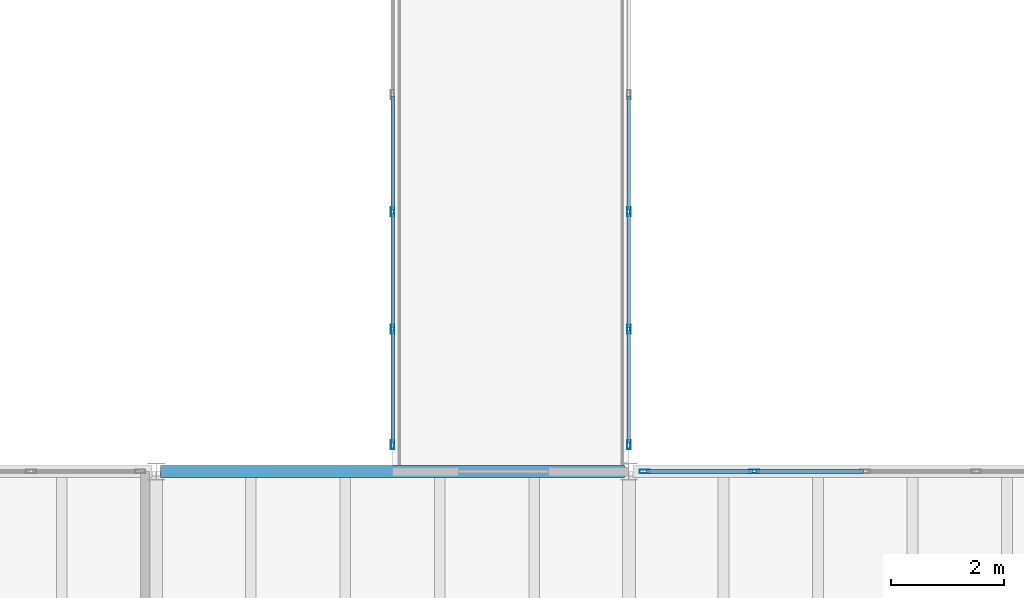
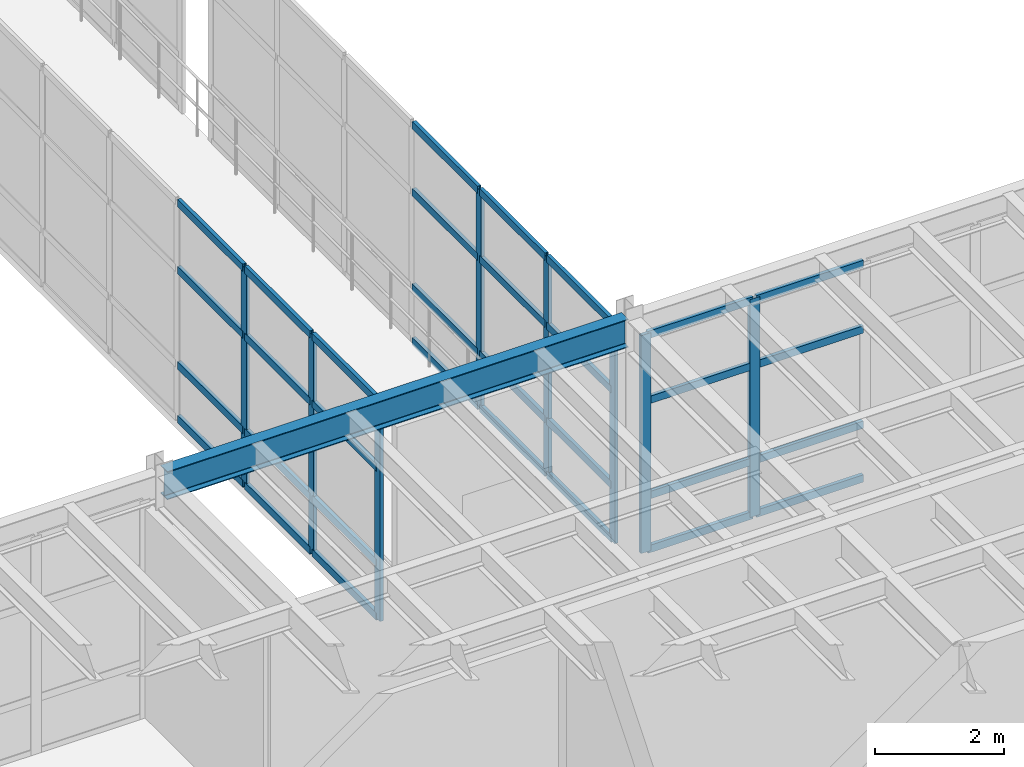
# One storey, part 48 of 105: 40 members, 1 beam, 3 elements without a shape of their own.
"""IFC4 building model written with IfcOpenShell, lengths in metres."""

from ifc_helpers import new_model, si_unit, direction, frame, origin, origin_2d, place, context, subcontext, project, spatial, hollow_rectangle, i_section, extrude, material, layer, layer_set, material_profile, profile_set, type_object, element, aggregate, save


model = new_model("IFC4")

# Units and contexts
model_context = context("Model", 3, precision=1e-05, world=origin(), true_north=direction((0.0, 1.0)))
body_context = subcontext(model_context, "Body", "Model", "MODEL_VIEW")
ifc_project = project(units=[si_unit("LENGTHUNIT", "METRE"), si_unit("AREAUNIT", "SQUARE_METRE"), si_unit("VOLUMEUNIT", "CUBIC_METRE"), si_unit("PLANEANGLEUNIT", "RADIAN"), si_unit("MASSUNIT", "GRAM", prefix="KILO")], contexts=[model_context])

# Site, building, storey
site_placement = place(None, origin())
site = spatial("IfcSite", under=ifc_project, at=site_placement, CompositionType="ELEMENT")
building_placement = place(site_placement, origin())
building = spatial("IfcBuilding", under=site, at=building_placement, Name="Selat Folded Stagehouse", CompositionType="ELEMENT")
storey_placement = place(building_placement, frame((0.0, 0.0, 10.199951171875)))
storey = spatial("IfcBuildingStorey", under=building, at=storey_placement, Name="L02", CompositionType="ELEMENT", Elevation=10.199951171875)

# Beam
ifc_material_1 = material(Name="Steel S355", Category="steel")
ifc_material_profile_1 = material_profile(ifc_material_1, i_section(OverallWidth=0.209228515625, OverallDepth=0.533203125, WebThickness=0.010009765625, FlangeThickness=0.015625, FilletRadius=0.0126953125, at=origin_2d()), Name="UKB 533x210x92")
ifc_profile_set_1 = profile_set([ifc_material_profile_1], Name="Steel S355")
beam_type = type_object("IfcBeamType", Name="BM-GIRD-533x210x92", PredefinedType="BEAM", material=ifc_profile_set_1)
beam_placement = place(storey_placement, frame((92.47705078125, 17.800048828125, 4.308349609375), z_axis=(1.0, 0.0, 0.0), x_axis=(0.0, 1.0, 0.0)))
element("IfcBeam", 1, at=beam_placement, inside=storey, type_object=beam_type, Name="L02 primary x-girder 1006", PredefinedType="BEAM", context=body_context, shape_type="SweptSolid", body=[
    extrude(i_section(OverallWidth=0.209228515625, OverallDepth=0.533203125, WebThickness=0.010009765625, FlangeThickness=0.015625, FilletRadius=0.0126953125, at=origin_2d()), origin(), (0.0, 0.0, 1.0), 8.245849609375),
])

# Curtain wall, members
ifc_material_2 = material(Name="Aluminium 6063-T6", Category="aluminium")
ifc_layer_1 = layer(ifc_material_2, 0.175048828125)
ifc_layer_set_1 = layer_set([ifc_layer_1], Name="Aluminium 6063-T6")
curtain_wall_type_1 = type_object("IfcCurtainWallType", Name="CW-BRG-GLAZ", PredefinedType="NOTDEFINED", material=ifc_layer_set_1)
curtain_wall_1_placement = place(storey_placement, origin())
curtain_wall_1 = element("IfcCurtainWall", 2, at=curtain_wall_1_placement, inside=storey, type_object=curtain_wall_type_1, Name="L02 curtain wall CW-BRG-11", PredefinedType="NOTDEFINED")
ifc_material_profile_2 = material_profile(ifc_material_2, hollow_rectangle(XDim=0.06005859375, YDim=0.159912109375, WallThickness=0.00390625, at=origin_2d()), Name="ALU 160x60x4.0")
ifc_profile_set_2 = profile_set([ifc_material_profile_2], Name="Aluminium 6063-T6")
member_type_1 = type_object("IfcMemberType", Name="CWM-MUL-160x60", PredefinedType="MULLION", material=ifc_profile_set_2)
member_1_placement = place(storey_placement, frame((96.60009765625, 18.280029296875, 0.0), z_axis=(0.0, 0.0, 1.0), x_axis=(-1.0, 0.0, 0.0)))
member_1 = element("IfcMember", 3, at=member_1_placement, type_object=member_type_1, Name="CW-07 mullion 1", PredefinedType="MULLION", context=body_context, shape_type="SweptSolid", body=[
    extrude(hollow_rectangle(XDim=0.06005859375, YDim=0.159912109375, WallThickness=0.00390625, at=origin_2d()), origin(), (0.0, 0.0, 1.0), 4.150146484375),
])
member_2_placement = place(storey_placement, frame((96.60009765625, 20.333251953125, 0.0), z_axis=(0.0, 0.0, 1.0), x_axis=(-1.0, 0.0, 0.0)))
member_2 = element("IfcMember", 4, at=member_2_placement, type_object=member_type_1, Name="CW-07 mullion 2", PredefinedType="MULLION", context=body_context, shape_type="SweptSolid", body=[
    extrude(hollow_rectangle(XDim=0.06005859375, YDim=0.159912109375, WallThickness=0.00390625, at=origin_2d()), origin(), (0.0, 0.0, 1.0), 4.150146484375),
])
member_3_placement = place(storey_placement, frame((96.60009765625, 22.416748046875, 0.0), z_axis=(0.0, 0.0, 1.0), x_axis=(-1.0, 0.0, 0.0)))
member_3 = element("IfcMember", 5, at=member_3_placement, type_object=member_type_1, Name="CW-07 mullion 3", PredefinedType="MULLION", context=body_context, shape_type="SweptSolid", body=[
    extrude(hollow_rectangle(XDim=0.06005859375, YDim=0.159912109375, WallThickness=0.00390625, at=origin_2d()), origin(), (0.0, 0.0, 1.0), 4.150146484375),
])

curtain_wall_2_placement = place(storey_placement, origin())
curtain_wall_2 = element("IfcCurtainWall", 6, at=curtain_wall_2_placement, inside=storey, type_object=curtain_wall_type_1, Name="L02 curtain wall CW-BRG-16", PredefinedType="NOTDEFINED")
member_4_placement = place(storey_placement, frame((100.800048828125, 22.416748046875, 0.0), z_axis=(0.0, 0.0, 1.0), x_axis=(1.0, 0.0, 0.0)))
member_4 = element("IfcMember", 7, at=member_4_placement, type_object=member_type_1, Name="CW-07 mullion 5", PredefinedType="MULLION", context=body_context, shape_type="SweptSolid", body=[
    extrude(hollow_rectangle(XDim=0.06005859375, YDim=0.159912109375, WallThickness=0.00390625, at=origin_2d()), origin(), (0.0, 0.0, 1.0), 4.150146484375),
])
member_5_placement = place(storey_placement, frame((100.800048828125, 20.333251953125, 0.0), z_axis=(0.0, 0.0, 1.0), x_axis=(1.0, 0.0, 0.0)))
member_5 = element("IfcMember", 8, at=member_5_placement, type_object=member_type_1, Name="CW-07 mullion 6", PredefinedType="MULLION", context=body_context, shape_type="SweptSolid", body=[
    extrude(hollow_rectangle(XDim=0.06005859375, YDim=0.159912109375, WallThickness=0.00390625, at=origin_2d()), origin(), (0.0, 0.0, 1.0), 4.150146484375),
])
member_6_placement = place(storey_placement, frame((100.800048828125, 18.280029296875, 0.0), z_axis=(0.0, 0.0, 1.0), x_axis=(1.0, 0.0, 0.0)))
member_6 = element("IfcMember", 9, at=member_6_placement, type_object=member_type_1, Name="CW-07 mullion 7", PredefinedType="MULLION", context=body_context, shape_type="SweptSolid", body=[
    extrude(hollow_rectangle(XDim=0.06005859375, YDim=0.159912109375, WallThickness=0.00390625, at=origin_2d()), origin(), (0.0, 0.0, 1.0), 4.150146484375),
])

ifc_layer_2 = layer(ifc_material_2, 0.195068359375)
ifc_layer_set_2 = layer_set([ifc_layer_2], Name="Aluminium 6063-T6")
curtain_wall_type_2 = type_object("IfcCurtainWallType", Name="CW-FYR-COURT", PredefinedType="NOTDEFINED", material=ifc_layer_set_2)
curtain_wall_3_placement = place(storey_placement, origin())
curtain_wall_3 = element("IfcCurtainWall", 10, at=curtain_wall_3_placement, inside=storey, type_object=curtain_wall_type_2, Name="L02 curtain wall CW-FYR-L02-12", PredefinedType="NOTDEFINED")
ifc_material_profile_3 = material_profile(ifc_material_2, hollow_rectangle(XDim=0.06494140625, YDim=0.179931640625, WallThickness=0.00390625, at=origin_2d()), Name="ALU 180x65x4.0")
ifc_profile_set_3 = profile_set([ifc_material_profile_3], Name="Aluminium 6063-T6")
member_type_2 = type_object("IfcMemberType", Name="CWM-MUL-180x65", PredefinedType="MULLION", material=ifc_profile_set_3)
member_7_placement = place(storey_placement, frame((101.08251953125, 17.800048828125, 0.0), z_axis=(0.0, 0.0, 1.0), x_axis=(0.0, 1.0, 0.0)))
member_7 = element("IfcMember", 11, at=member_7_placement, type_object=member_type_2, Name="CW-05 mullion 1", PredefinedType="MULLION", context=body_context, shape_type="SweptSolid", body=[
    extrude(hollow_rectangle(XDim=0.06494140625, YDim=0.179931640625, WallThickness=0.00390625, at=origin_2d()), origin(), (0.0, 0.0, 1.0), 4.1201171875),
])
member_8_placement = place(storey_placement, frame((103.02490234375, 17.800048828125, 0.0), z_axis=(0.0, 0.0, 1.0), x_axis=(0.0, 1.0, 0.0)))
member_8 = element("IfcMember", 12, at=member_8_placement, type_object=member_type_2, Name="CW-05 mullion 2", PredefinedType="MULLION", context=body_context, shape_type="SweptSolid", body=[
    extrude(hollow_rectangle(XDim=0.06494140625, YDim=0.179931640625, WallThickness=0.00390625, at=origin_2d()), origin(), (0.0, 0.0, 1.0), 4.1201171875),
])
ifc_material_profile_4 = material_profile(ifc_material_2, hollow_rectangle(XDim=0.06494140625, YDim=0.139892578125, WallThickness=0.00390625, at=origin_2d()), Name="ALU 140x65x4.0")
ifc_profile_set_4 = profile_set([ifc_material_profile_4], Name="Aluminium 6063-T6")
member_type_3 = type_object("IfcMemberType", Name="CWM-TRN-140x65", PredefinedType="USERDEFINED", material=ifc_profile_set_4)
member_9_placement = place(storey_placement, frame((101.114990234375, 17.800048828125, 0.032470703125), z_axis=(1.0, 0.0, 0.0), x_axis=(0.0, 1.0, 0.0)))
member_9 = element("IfcMember", 13, at=member_9_placement, type_object=member_type_3, Name="CW-05 transom 1.1", ObjectType="TRANSOM", PredefinedType="USERDEFINED", context=body_context, shape_type="SweptSolid", body=[
    extrude(hollow_rectangle(XDim=0.06494140625, YDim=0.139892578125, WallThickness=0.00390625, at=origin_2d()), origin(), (0.0, 0.0, 1.0), 1.87744140625),
])
member_10_placement = place(storey_placement, frame((101.114990234375, 17.800048828125, 1.050048828125), z_axis=(1.0, 0.0, 0.0), x_axis=(0.0, 1.0, 0.0)))
member_10 = element("IfcMember", 14, at=member_10_placement, type_object=member_type_3, Name="CW-05 transom 1.2", ObjectType="TRANSOM", PredefinedType="USERDEFINED", context=body_context, shape_type="SweptSolid", body=[
    extrude(hollow_rectangle(XDim=0.06494140625, YDim=0.139892578125, WallThickness=0.00390625, at=origin_2d()), origin(), (0.0, 0.0, 1.0), 1.87744140625),
])
member_11_placement = place(storey_placement, frame((101.114990234375, 17.800048828125, 2.85009765625), z_axis=(1.0, 0.0, 0.0), x_axis=(0.0, 1.0, 0.0)))
member_11 = element("IfcMember", 15, at=member_11_placement, type_object=member_type_3, Name="CW-05 transom 1.3", ObjectType="TRANSOM", PredefinedType="USERDEFINED", context=body_context, shape_type="SweptSolid", body=[
    extrude(hollow_rectangle(XDim=0.06494140625, YDim=0.139892578125, WallThickness=0.00390625, at=origin_2d()), origin(), (0.0, 0.0, 1.0), 1.87744140625),
])
member_12_placement = place(storey_placement, frame((101.114990234375, 17.800048828125, 4.087646484375), z_axis=(1.0, 0.0, 0.0), x_axis=(0.0, 1.0, 0.0)))
member_12 = element("IfcMember", 16, at=member_12_placement, type_object=member_type_3, Name="CW-05 transom 1.4", ObjectType="TRANSOM", PredefinedType="USERDEFINED", context=body_context, shape_type="SweptSolid", body=[
    extrude(hollow_rectangle(XDim=0.06494140625, YDim=0.139892578125, WallThickness=0.00390625, at=origin_2d()), origin(), (0.0, 0.0, 1.0), 1.87744140625),
])
member_13_placement = place(storey_placement, frame((103.0576171875, 17.800048828125, 0.032470703125), z_axis=(1.0, 0.0, 0.0), x_axis=(0.0, 1.0, 0.0)))
member_13 = element("IfcMember", 17, at=member_13_placement, type_object=member_type_3, Name="CW-05 transom 2.1", ObjectType="TRANSOM", PredefinedType="USERDEFINED", context=body_context, shape_type="SweptSolid", body=[
    extrude(hollow_rectangle(XDim=0.06494140625, YDim=0.139892578125, WallThickness=0.00390625, at=origin_2d()), origin(), (0.0, 0.0, 1.0), 1.909912109375),
])
member_14_placement = place(storey_placement, frame((103.0576171875, 17.800048828125, 1.050048828125), z_axis=(1.0, 0.0, 0.0), x_axis=(0.0, 1.0, 0.0)))
member_14 = element("IfcMember", 18, at=member_14_placement, type_object=member_type_3, Name="CW-05 transom 2.2", ObjectType="TRANSOM", PredefinedType="USERDEFINED", context=body_context, shape_type="SweptSolid", body=[
    extrude(hollow_rectangle(XDim=0.06494140625, YDim=0.139892578125, WallThickness=0.00390625, at=origin_2d()), origin(), (0.0, 0.0, 1.0), 1.909912109375),
])
member_15_placement = place(storey_placement, frame((103.0576171875, 17.800048828125, 2.85009765625), z_axis=(1.0, 0.0, 0.0), x_axis=(0.0, 1.0, 0.0)))
member_15 = element("IfcMember", 19, at=member_15_placement, type_object=member_type_3, Name="CW-05 transom 2.3", ObjectType="TRANSOM", PredefinedType="USERDEFINED", context=body_context, shape_type="SweptSolid", body=[
    extrude(hollow_rectangle(XDim=0.06494140625, YDim=0.139892578125, WallThickness=0.00390625, at=origin_2d()), origin(), (0.0, 0.0, 1.0), 1.909912109375),
])
member_16_placement = place(storey_placement, frame((103.0576171875, 17.800048828125, 4.087646484375), z_axis=(1.0, 0.0, 0.0), x_axis=(0.0, 1.0, 0.0)))
member_16 = element("IfcMember", 20, at=member_16_placement, type_object=member_type_3, Name="CW-05 transom 2.4", ObjectType="TRANSOM", PredefinedType="USERDEFINED", context=body_context, shape_type="SweptSolid", body=[
    extrude(hollow_rectangle(XDim=0.06494140625, YDim=0.139892578125, WallThickness=0.00390625, at=origin_2d()), origin(), (0.0, 0.0, 1.0), 1.909912109375),
])
aggregate(curtain_wall_3, [member_7, member_8, member_9, member_10, member_11, member_12, member_13, member_14, member_15, member_16])

# Member
member_17_placement = place(storey_placement, frame((96.60009765625, 18.31005859375, 0.032470703125), z_axis=(0.0, 1.0, 0.0), x_axis=(-1.0, 0.0, 0.0)))
member_17 = element("IfcMember", 21, at=member_17_placement, type_object=member_type_3, Name="CW-07 transom 1.1", ObjectType="TRANSOM", PredefinedType="USERDEFINED", context=body_context, shape_type="SweptSolid", body=[
    extrude(hollow_rectangle(XDim=0.06494140625, YDim=0.139892578125, WallThickness=0.00390625, at=origin_2d()), origin(), (0.0, 0.0, 1.0), 1.9931640625),
])

member_18_placement = place(storey_placement, frame((96.60009765625, 18.31005859375, 1.050048828125), z_axis=(0.0, 1.0, 0.0), x_axis=(-1.0, 0.0, 0.0)))
member_18 = element("IfcMember", 22, at=member_18_placement, type_object=member_type_3, Name="CW-07 transom 1.2", ObjectType="TRANSOM", PredefinedType="USERDEFINED", context=body_context, shape_type="SweptSolid", body=[
    extrude(hollow_rectangle(XDim=0.06494140625, YDim=0.139892578125, WallThickness=0.00390625, at=origin_2d()), origin(), (0.0, 0.0, 1.0), 1.9931640625),
])

member_19_placement = place(storey_placement, frame((96.60009765625, 18.31005859375, 2.85009765625), z_axis=(0.0, 1.0, 0.0), x_axis=(-1.0, 0.0, 0.0)))
member_19 = element("IfcMember", 23, at=member_19_placement, type_object=member_type_3, Name="CW-07 transom 1.3", ObjectType="TRANSOM", PredefinedType="USERDEFINED", context=body_context, shape_type="SweptSolid", body=[
    extrude(hollow_rectangle(XDim=0.06494140625, YDim=0.139892578125, WallThickness=0.00390625, at=origin_2d()), origin(), (0.0, 0.0, 1.0), 1.9931640625),
])

member_20_placement = place(storey_placement, frame((96.60009765625, 18.31005859375, 4.117431640625), z_axis=(0.0, 1.0, 0.0), x_axis=(-1.0, 0.0, 0.0)))
member_20 = element("IfcMember", 24, at=member_20_placement, type_object=member_type_3, Name="CW-07 transom 1.4", ObjectType="TRANSOM", PredefinedType="USERDEFINED", context=body_context, shape_type="SweptSolid", body=[
    extrude(hollow_rectangle(XDim=0.06494140625, YDim=0.139892578125, WallThickness=0.00390625, at=origin_2d()), origin(), (0.0, 0.0, 1.0), 1.9931640625),
])

member_21_placement = place(storey_placement, frame((96.60009765625, 20.36328125, 0.032470703125), z_axis=(0.0, 1.0, 0.0), x_axis=(-1.0, 0.0, 0.0)))
member_21 = element("IfcMember", 25, at=member_21_placement, type_object=member_type_3, Name="CW-07 transom 2.1", ObjectType="TRANSOM", PredefinedType="USERDEFINED", context=body_context, shape_type="SweptSolid", body=[
    extrude(hollow_rectangle(XDim=0.06494140625, YDim=0.139892578125, WallThickness=0.00390625, at=origin_2d()), origin(), (0.0, 0.0, 1.0), 2.0234375),
])

member_22_placement = place(storey_placement, frame((96.60009765625, 20.36328125, 1.050048828125), z_axis=(0.0, 1.0, 0.0), x_axis=(-1.0, 0.0, 0.0)))
member_22 = element("IfcMember", 26, at=member_22_placement, type_object=member_type_3, Name="CW-07 transom 2.2", ObjectType="TRANSOM", PredefinedType="USERDEFINED", context=body_context, shape_type="SweptSolid", body=[
    extrude(hollow_rectangle(XDim=0.06494140625, YDim=0.139892578125, WallThickness=0.00390625, at=origin_2d()), origin(), (0.0, 0.0, 1.0), 2.0234375),
])

member_23_placement = place(storey_placement, frame((96.60009765625, 20.36328125, 2.85009765625), z_axis=(0.0, 1.0, 0.0), x_axis=(-1.0, 0.0, 0.0)))
member_23 = element("IfcMember", 27, at=member_23_placement, type_object=member_type_3, Name="CW-07 transom 2.3", ObjectType="TRANSOM", PredefinedType="USERDEFINED", context=body_context, shape_type="SweptSolid", body=[
    extrude(hollow_rectangle(XDim=0.06494140625, YDim=0.139892578125, WallThickness=0.00390625, at=origin_2d()), origin(), (0.0, 0.0, 1.0), 2.0234375),
])

member_24_placement = place(storey_placement, frame((96.60009765625, 20.36328125, 4.117431640625), z_axis=(0.0, 1.0, 0.0), x_axis=(-1.0, 0.0, 0.0)))
member_24 = element("IfcMember", 28, at=member_24_placement, type_object=member_type_3, Name="CW-07 transom 2.4", ObjectType="TRANSOM", PredefinedType="USERDEFINED", context=body_context, shape_type="SweptSolid", body=[
    extrude(hollow_rectangle(XDim=0.06494140625, YDim=0.139892578125, WallThickness=0.00390625, at=origin_2d()), origin(), (0.0, 0.0, 1.0), 2.0234375),
])

member_25_placement = place(storey_placement, frame((96.60009765625, 22.44677734375, 0.032470703125), z_axis=(0.0, 1.0, 0.0), x_axis=(-1.0, 0.0, 0.0)))
member_25 = element("IfcMember", 29, at=member_25_placement, type_object=member_type_3, Name="CW-07 transom 3.1", ObjectType="TRANSOM", PredefinedType="USERDEFINED", context=body_context, shape_type="SweptSolid", body=[
    extrude(hollow_rectangle(XDim=0.06494140625, YDim=0.139892578125, WallThickness=0.00390625, at=origin_2d()), origin(), (0.0, 0.0, 1.0), 2.023193359375),
])

member_26_placement = place(storey_placement, frame((96.60009765625, 22.44677734375, 1.050048828125), z_axis=(0.0, 1.0, 0.0), x_axis=(-1.0, 0.0, 0.0)))
member_26 = element("IfcMember", 30, at=member_26_placement, type_object=member_type_3, Name="CW-07 transom 3.2", ObjectType="TRANSOM", PredefinedType="USERDEFINED", context=body_context, shape_type="SweptSolid", body=[
    extrude(hollow_rectangle(XDim=0.06494140625, YDim=0.139892578125, WallThickness=0.00390625, at=origin_2d()), origin(), (0.0, 0.0, 1.0), 2.023193359375),
])

member_27_placement = place(storey_placement, frame((96.60009765625, 22.44677734375, 2.85009765625), z_axis=(0.0, 1.0, 0.0), x_axis=(-1.0, 0.0, 0.0)))
member_27 = element("IfcMember", 31, at=member_27_placement, type_object=member_type_3, Name="CW-07 transom 3.3", ObjectType="TRANSOM", PredefinedType="USERDEFINED", context=body_context, shape_type="SweptSolid", body=[
    extrude(hollow_rectangle(XDim=0.06494140625, YDim=0.139892578125, WallThickness=0.00390625, at=origin_2d()), origin(), (0.0, 0.0, 1.0), 2.023193359375),
])

member_28_placement = place(storey_placement, frame((96.60009765625, 22.44677734375, 4.117431640625), z_axis=(0.0, 1.0, 0.0), x_axis=(-1.0, 0.0, 0.0)))
member_28 = element("IfcMember", 32, at=member_28_placement, type_object=member_type_3, Name="CW-07 transom 3.4", ObjectType="TRANSOM", PredefinedType="USERDEFINED", context=body_context, shape_type="SweptSolid", body=[
    extrude(hollow_rectangle(XDim=0.06494140625, YDim=0.139892578125, WallThickness=0.00390625, at=origin_2d()), origin(), (0.0, 0.0, 1.0), 2.023193359375),
])

aggregate(curtain_wall_1, [member_1, member_2, member_3, member_17, member_18, member_19, member_20, member_21, member_22, member_23, member_24, member_25, member_26, member_27, member_28])

member_29_placement = place(storey_placement, frame((100.800048828125, 24.469970703125, 0.032470703125), z_axis=(0.0, -1.0, 0.0), x_axis=(1.0, 0.0, 0.0)))
member_29 = element("IfcMember", 33, at=member_29_placement, type_object=member_type_3, Name="CW-07 transom 4.1", ObjectType="TRANSOM", PredefinedType="USERDEFINED", context=body_context, shape_type="SweptSolid", body=[
    extrude(hollow_rectangle(XDim=0.06494140625, YDim=0.139892578125, WallThickness=0.00390625, at=origin_2d()), origin(), (0.0, 0.0, 1.0), 2.023193359375),
])

member_30_placement = place(storey_placement, frame((100.800048828125, 24.469970703125, 1.050048828125), z_axis=(0.0, -1.0, 0.0), x_axis=(1.0, 0.0, 0.0)))
member_30 = element("IfcMember", 34, at=member_30_placement, type_object=member_type_3, Name="CW-07 transom 4.2", ObjectType="TRANSOM", PredefinedType="USERDEFINED", context=body_context, shape_type="SweptSolid", body=[
    extrude(hollow_rectangle(XDim=0.06494140625, YDim=0.139892578125, WallThickness=0.00390625, at=origin_2d()), origin(), (0.0, 0.0, 1.0), 2.023193359375),
])

member_31_placement = place(storey_placement, frame((100.800048828125, 24.469970703125, 2.85009765625), z_axis=(0.0, -1.0, 0.0), x_axis=(1.0, 0.0, 0.0)))
member_31 = element("IfcMember", 35, at=member_31_placement, type_object=member_type_3, Name="CW-07 transom 4.3", ObjectType="TRANSOM", PredefinedType="USERDEFINED", context=body_context, shape_type="SweptSolid", body=[
    extrude(hollow_rectangle(XDim=0.06494140625, YDim=0.139892578125, WallThickness=0.00390625, at=origin_2d()), origin(), (0.0, 0.0, 1.0), 2.023193359375),
])

member_32_placement = place(storey_placement, frame((100.800048828125, 24.469970703125, 4.117431640625), z_axis=(0.0, -1.0, 0.0), x_axis=(1.0, 0.0, 0.0)))
member_32 = element("IfcMember", 36, at=member_32_placement, type_object=member_type_3, Name="CW-07 transom 4.4", ObjectType="TRANSOM", PredefinedType="USERDEFINED", context=body_context, shape_type="SweptSolid", body=[
    extrude(hollow_rectangle(XDim=0.06494140625, YDim=0.139892578125, WallThickness=0.00390625, at=origin_2d()), origin(), (0.0, 0.0, 1.0), 2.023193359375),
])

member_33_placement = place(storey_placement, frame((100.800048828125, 22.38671875, 0.032470703125), z_axis=(0.0, -1.0, 0.0), x_axis=(1.0, 0.0, 0.0)))
member_33 = element("IfcMember", 37, at=member_33_placement, type_object=member_type_3, Name="CW-07 transom 5.1", ObjectType="TRANSOM", PredefinedType="USERDEFINED", context=body_context, shape_type="SweptSolid", body=[
    extrude(hollow_rectangle(XDim=0.06494140625, YDim=0.139892578125, WallThickness=0.00390625, at=origin_2d()), origin(), (0.0, 0.0, 1.0), 2.0234375),
])

member_34_placement = place(storey_placement, frame((100.800048828125, 22.38671875, 1.050048828125), z_axis=(0.0, -1.0, 0.0), x_axis=(1.0, 0.0, 0.0)))
member_34 = element("IfcMember", 38, at=member_34_placement, type_object=member_type_3, Name="CW-07 transom 5.2", ObjectType="TRANSOM", PredefinedType="USERDEFINED", context=body_context, shape_type="SweptSolid", body=[
    extrude(hollow_rectangle(XDim=0.06494140625, YDim=0.139892578125, WallThickness=0.00390625, at=origin_2d()), origin(), (0.0, 0.0, 1.0), 2.0234375),
])

member_35_placement = place(storey_placement, frame((100.800048828125, 22.38671875, 2.85009765625), z_axis=(0.0, -1.0, 0.0), x_axis=(1.0, 0.0, 0.0)))
member_35 = element("IfcMember", 39, at=member_35_placement, type_object=member_type_3, Name="CW-07 transom 5.3", ObjectType="TRANSOM", PredefinedType="USERDEFINED", context=body_context, shape_type="SweptSolid", body=[
    extrude(hollow_rectangle(XDim=0.06494140625, YDim=0.139892578125, WallThickness=0.00390625, at=origin_2d()), origin(), (0.0, 0.0, 1.0), 2.0234375),
])

member_36_placement = place(storey_placement, frame((100.800048828125, 22.38671875, 4.117431640625), z_axis=(0.0, -1.0, 0.0), x_axis=(1.0, 0.0, 0.0)))
member_36 = element("IfcMember", 40, at=member_36_placement, type_object=member_type_3, Name="CW-07 transom 5.4", ObjectType="TRANSOM", PredefinedType="USERDEFINED", context=body_context, shape_type="SweptSolid", body=[
    extrude(hollow_rectangle(XDim=0.06494140625, YDim=0.139892578125, WallThickness=0.00390625, at=origin_2d()), origin(), (0.0, 0.0, 1.0), 2.0234375),
])

member_37_placement = place(storey_placement, frame((100.800048828125, 20.30322265625, 0.032470703125), z_axis=(0.0, -1.0, 0.0), x_axis=(1.0, 0.0, 0.0)))
member_37 = element("IfcMember", 41, at=member_37_placement, type_object=member_type_3, Name="CW-07 transom 6.1", ObjectType="TRANSOM", PredefinedType="USERDEFINED", context=body_context, shape_type="SweptSolid", body=[
    extrude(hollow_rectangle(XDim=0.06494140625, YDim=0.139892578125, WallThickness=0.00390625, at=origin_2d()), origin(), (0.0, 0.0, 1.0), 1.9931640625),
])

member_38_placement = place(storey_placement, frame((100.800048828125, 20.30322265625, 1.050048828125), z_axis=(0.0, -1.0, 0.0), x_axis=(1.0, 0.0, 0.0)))
member_38 = element("IfcMember", 42, at=member_38_placement, type_object=member_type_3, Name="CW-07 transom 6.2", ObjectType="TRANSOM", PredefinedType="USERDEFINED", context=body_context, shape_type="SweptSolid", body=[
    extrude(hollow_rectangle(XDim=0.06494140625, YDim=0.139892578125, WallThickness=0.00390625, at=origin_2d()), origin(), (0.0, 0.0, 1.0), 1.9931640625),
])

member_39_placement = place(storey_placement, frame((100.800048828125, 20.30322265625, 2.85009765625), z_axis=(0.0, -1.0, 0.0), x_axis=(1.0, 0.0, 0.0)))
member_39 = element("IfcMember", 43, at=member_39_placement, type_object=member_type_3, Name="CW-07 transom 6.3", ObjectType="TRANSOM", PredefinedType="USERDEFINED", context=body_context, shape_type="SweptSolid", body=[
    extrude(hollow_rectangle(XDim=0.06494140625, YDim=0.139892578125, WallThickness=0.00390625, at=origin_2d()), origin(), (0.0, 0.0, 1.0), 1.9931640625),
])

member_40_placement = place(storey_placement, frame((100.800048828125, 20.30322265625, 4.117431640625), z_axis=(0.0, -1.0, 0.0), x_axis=(1.0, 0.0, 0.0)))
member_40 = element("IfcMember", 44, at=member_40_placement, type_object=member_type_3, Name="CW-07 transom 6.4", ObjectType="TRANSOM", PredefinedType="USERDEFINED", context=body_context, shape_type="SweptSolid", body=[
    extrude(hollow_rectangle(XDim=0.06494140625, YDim=0.139892578125, WallThickness=0.00390625, at=origin_2d()), origin(), (0.0, 0.0, 1.0), 1.9931640625),
])

aggregate(curtain_wall_2, [member_4, member_5, member_6, member_29, member_30, member_31, member_32, member_33, member_34, member_35, member_36, member_37, member_38, member_39, member_40])

save(model, "model.ifc")
